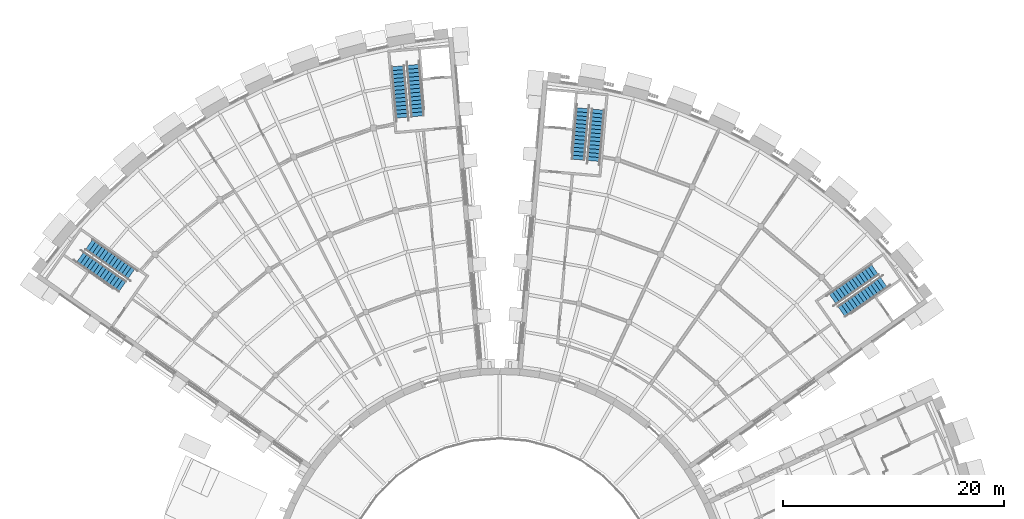
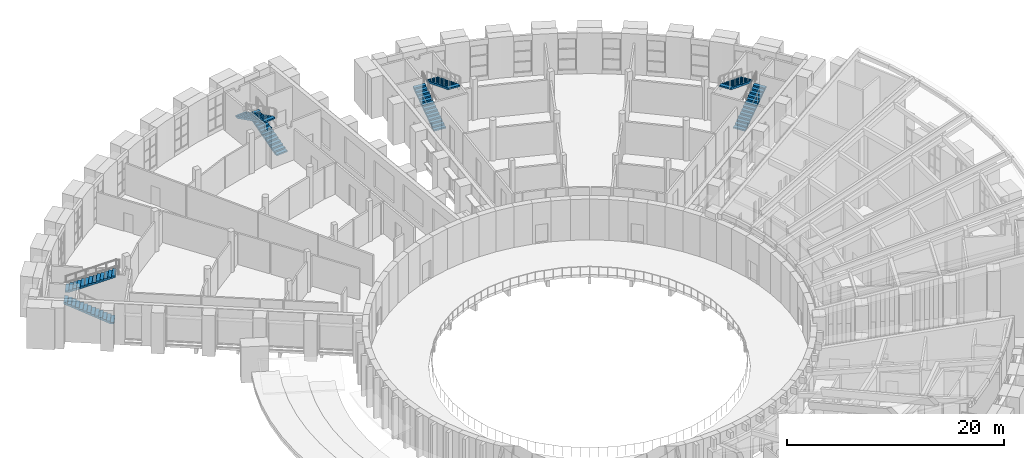
# One storey, part 34 of 50: 8 stair flights, 4 elements without a shape of their own.
"""IFC4 building model written with IfcOpenShell, lengths in metres."""

from ifc_helpers import new_model, si_unit, direction, frame, origin, place, context, subcontext, project, spatial, polyline, outline, extrude, material, type_object, element, aggregate, save


model = new_model("IFC4")

# Units and contexts
model_context = context("Model", 3, precision=1e-05, world=origin(), true_north=direction((0.0, 1.0)))
body_context = subcontext(model_context, "Body", "Model", "MODEL_VIEW")
ifc_project = project(units=[si_unit("LENGTHUNIT", "METRE"), si_unit("AREAUNIT", "SQUARE_METRE"), si_unit("VOLUMEUNIT", "CUBIC_METRE"), si_unit("PLANEANGLEUNIT", "RADIAN"), si_unit("MASSUNIT", "GRAM", prefix="KILO")], contexts=[model_context])

# Site, building, storey
site_placement = place(None, origin())
site = spatial("IfcSite", under=ifc_project, at=site_placement, CompositionType="ELEMENT")
building_placement = place(site_placement, origin())
building = spatial("IfcBuilding", under=site, at=building_placement, Name="Volute Hill Aquarium", CompositionType="ELEMENT")
storey_placement = place(building_placement, frame((0.0, 0.0, 9.199951171875)))
storey = spatial("IfcBuildingStorey", under=building, at=storey_placement, Name="L03", CompositionType="ELEMENT", Elevation=9.199951171875)

# Stair, stair flights
ifc_material_1 = material(Name="Concrete C35/45", Category="concrete")
stair_type = type_object("IfcStairType", Name="Stair C35/45", PredefinedType="HALF_TURN_STAIR", material=ifc_material_1)
stair_1_placement = place(storey_placement, origin())
stair_1 = element("IfcStair", 1, at=stair_1_placement, inside=storey, type_object=stair_type, Name="ST/S5-A/L03", PredefinedType="HALF_TURN_STAIR")
ifc_material_2 = material(Name="Concrete C35/45", Category="concrete")
stair_flight_type = type_object("IfcStairFlightType", Name="Stair flight C35/45", PredefinedType="STRAIGHT", material=ifc_material_2)
stair_flight_1_placement = place(storey_placement, frame((30.98779296875, 26.0927734375, 0.0), z_axis=(0.0, 0.0, 1.0), x_axis=(0.81912384914, 0.573616701091, 0.0)))
stair_flight_1 = element("IfcStairFlight", 2, at=stair_flight_1_placement, type_object=stair_flight_type, Name="ST-S5-A-03 flight 1", NumberOfRisers=14, NumberOfTreads=13, PredefinedType="STRAIGHT", RiserHeight=0.164285714, TreadLength=0.36, context=body_context, shape_type="SweptSolid", body=[
    extrude(outline(polyline([(0.0, 0.0), (0.0, 0.164306640625), (0.360107421875, 0.164306640625), (0.360107421875, 0.32861328125), (0.719970703125, 0.32861328125), (0.719970703125, 0.492919921875), (1.080078125, 0.492919921875), (1.080078125, 0.6572265625), (1.43994140625, 0.6572265625), (1.43994140625, 0.821533203125), (1.800048828125, 0.821533203125), (1.800048828125, 0.985595703125), (2.159912109375, 0.985595703125), (2.159912109375, 1.14990234375), (2.52001953125, 1.14990234375), (2.52001953125, 1.314208984375), (2.8798828125, 1.314208984375), (2.8798828125, 1.478515625), (3.239990234375, 1.478515625), (3.239990234375, 1.642822265625), (3.60009765625, 1.642822265625), (3.60009765625, 1.80712890625), (3.9599609375, 1.80712890625), (3.9599609375, 1.971435546875), (4.320068359375, 1.971435546875), (4.320068359375, 2.1357421875), (4.679931640625, 2.1357421875), (4.679931640625, 2.300048828125), (4.679931640625, 1.970947265625), (0.361083984375, 0.0), (0.0, 0.0)])), frame((0.0, 0.60009765625, 0.0), z_axis=(0.0, -1.0, 0.0), x_axis=(1.0, 0.0, 0.0)), (0.0, 0.0, 1.0), 1.199951171875),
])
stair_flight_2_placement = place(storey_placement, frame((34.0185546875, 29.923828125, 2.300048828125), z_axis=(0.0, 0.0, 1.0), x_axis=(-0.81912384914, -0.573616701091, 0.0)))
stair_flight_2 = element("IfcStairFlight", 3, at=stair_flight_2_placement, type_object=stair_flight_type, Name="ST-S5-A-03 flight 2", NumberOfRisers=14, NumberOfTreads=13, PredefinedType="STRAIGHT", RiserHeight=0.164285714, TreadLength=0.36, context=body_context, shape_type="SweptSolid", body=[
    extrude(outline(polyline([(0.0, 0.0), (0.0, 0.164306640625), (0.360107421875, 0.164306640625), (0.360107421875, 0.32861328125), (0.719970703125, 0.32861328125), (0.719970703125, 0.492919921875), (1.080078125, 0.492919921875), (1.080078125, 0.6572265625), (1.43994140625, 0.6572265625), (1.43994140625, 0.821533203125), (1.800048828125, 0.821533203125), (1.800048828125, 0.985595703125), (2.159912109375, 0.985595703125), (2.159912109375, 1.14990234375), (2.52001953125, 1.14990234375), (2.52001953125, 1.314208984375), (2.8798828125, 1.314208984375), (2.8798828125, 1.478515625), (3.239990234375, 1.478515625), (3.239990234375, 1.642822265625), (3.60009765625, 1.642822265625), (3.60009765625, 1.80712890625), (3.9599609375, 1.80712890625), (3.9599609375, 1.971435546875), (4.320068359375, 1.971435546875), (4.320068359375, 2.1357421875), (4.679931640625, 2.1357421875), (4.679931640625, 2.300048828125), (4.679931640625, 1.970947265625), (0.361083984375, 0.0), (0.0, 0.0)])), frame((0.0, 0.60009765625, 0.0), z_axis=(0.0, -1.0, 0.0), x_axis=(1.0, 0.0, 0.0)), (0.0, 0.0, 1.0), 1.199951171875),
])
aggregate(stair_1, [stair_flight_1, stair_flight_2])

stair_2_placement = place(storey_placement, origin())
stair_2 = element("IfcStair", 4, at=stair_2_placement, inside=storey, type_object=stair_type, Name="ST/S5-B/L03", PredefinedType="HALF_TURN_STAIR")
stair_flight_3_placement = place(storey_placement, frame((7.10302734375, 39.8828125, 0.0), z_axis=(0.0, 0.0, 1.0), x_axis=(0.08710864073, 0.996198817862, 0.0)))
stair_flight_3 = element("IfcStairFlight", 5, at=stair_flight_3_placement, type_object=stair_flight_type, Name="ST-S5-B-03 flight 1", NumberOfRisers=14, NumberOfTreads=13, PredefinedType="STRAIGHT", RiserHeight=0.164285714, TreadLength=0.36, context=body_context, shape_type="SweptSolid", body=[
    extrude(outline(polyline([(0.0, 0.0), (0.0, 0.164306640625), (0.360107421875, 0.164306640625), (0.360107421875, 0.32861328125), (0.719970703125, 0.32861328125), (0.719970703125, 0.492919921875), (1.080078125, 0.492919921875), (1.080078125, 0.6572265625), (1.43994140625, 0.6572265625), (1.43994140625, 0.821533203125), (1.800048828125, 0.821533203125), (1.800048828125, 0.985595703125), (2.159912109375, 0.985595703125), (2.159912109375, 1.14990234375), (2.52001953125, 1.14990234375), (2.52001953125, 1.314208984375), (2.8798828125, 1.314208984375), (2.8798828125, 1.478515625), (3.239990234375, 1.478515625), (3.239990234375, 1.642822265625), (3.60009765625, 1.642822265625), (3.60009765625, 1.80712890625), (3.9599609375, 1.80712890625), (3.9599609375, 1.971435546875), (4.320068359375, 1.971435546875), (4.320068359375, 2.1357421875), (4.679931640625, 2.1357421875), (4.679931640625, 2.300048828125), (4.679931640625, 1.970947265625), (0.361083984375, 0.0), (0.0, 0.0)])), frame((0.0, 0.60009765625, 0.0), z_axis=(0.0, -1.0, 0.0), x_axis=(1.0, 0.0, 0.0)), (0.0, 0.0, 1.0), 1.199951171875),
])
stair_flight_4_placement = place(storey_placement, frame((8.905517578125, 44.4228515625, 2.300048828125), z_axis=(0.0, 0.0, 1.0), x_axis=(-0.08710864073, -0.996198817862, 0.0)))
stair_flight_4 = element("IfcStairFlight", 6, at=stair_flight_4_placement, type_object=stair_flight_type, Name="ST-S5-B-03 flight 2", NumberOfRisers=14, NumberOfTreads=13, PredefinedType="STRAIGHT", RiserHeight=0.164285714, TreadLength=0.36, context=body_context, shape_type="SweptSolid", body=[
    extrude(outline(polyline([(0.0, 0.0), (0.0, 0.164306640625), (0.360107421875, 0.164306640625), (0.360107421875, 0.32861328125), (0.719970703125, 0.32861328125), (0.719970703125, 0.492919921875), (1.080078125, 0.492919921875), (1.080078125, 0.6572265625), (1.43994140625, 0.6572265625), (1.43994140625, 0.821533203125), (1.800048828125, 0.821533203125), (1.800048828125, 0.985595703125), (2.159912109375, 0.985595703125), (2.159912109375, 1.14990234375), (2.52001953125, 1.14990234375), (2.52001953125, 1.314208984375), (2.8798828125, 1.314208984375), (2.8798828125, 1.478515625), (3.239990234375, 1.478515625), (3.239990234375, 1.642822265625), (3.60009765625, 1.642822265625), (3.60009765625, 1.80712890625), (3.9599609375, 1.80712890625), (3.9599609375, 1.971435546875), (4.320068359375, 1.971435546875), (4.320068359375, 2.1357421875), (4.679931640625, 2.1357421875), (4.679931640625, 2.300048828125), (4.679931640625, 1.970947265625), (0.361083984375, 0.0), (0.0, 0.0)])), frame((0.0, 0.60009765625, 0.0), z_axis=(0.0, -1.0, 0.0), x_axis=(1.0, 0.0, 0.0)), (0.0, 0.0, 1.0), 1.199951171875),
])
aggregate(stair_2, [stair_flight_3, stair_flight_4])

stair_3_placement = place(storey_placement, origin())
stair_3 = element("IfcStair", 7, at=stair_3_placement, inside=storey, type_object=stair_type, Name="ST/S6-A/L03", PredefinedType="HALF_TURN_STAIR")
stair_flight_5_placement = place(storey_placement, frame((-7.447265625, 43.817626953125, 0.0), z_axis=(0.0, 0.0, 1.0), x_axis=(-0.087199203008, 0.996190894856, 0.0)))
stair_flight_5 = element("IfcStairFlight", 8, at=stair_flight_5_placement, type_object=stair_flight_type, Name="ST-S6-A-03 flight 1", NumberOfRisers=14, NumberOfTreads=13, PredefinedType="STRAIGHT", RiserHeight=0.164285714, TreadLength=0.36, context=body_context, shape_type="SweptSolid", body=[
    extrude(outline(polyline([(0.0, 0.0), (0.0, 0.164306640625), (0.360107421875, 0.164306640625), (0.360107421875, 0.32861328125), (0.719970703125, 0.32861328125), (0.719970703125, 0.492919921875), (1.080078125, 0.492919921875), (1.080078125, 0.6572265625), (1.43994140625, 0.6572265625), (1.43994140625, 0.821533203125), (1.800048828125, 0.821533203125), (1.800048828125, 0.985595703125), (2.159912109375, 0.985595703125), (2.159912109375, 1.14990234375), (2.52001953125, 1.14990234375), (2.52001953125, 1.314208984375), (2.8798828125, 1.314208984375), (2.8798828125, 1.478515625), (3.239990234375, 1.478515625), (3.239990234375, 1.642822265625), (3.60009765625, 1.642822265625), (3.60009765625, 1.80712890625), (3.9599609375, 1.80712890625), (3.9599609375, 1.971435546875), (4.320068359375, 1.971435546875), (4.320068359375, 2.1357421875), (4.679931640625, 2.1357421875), (4.679931640625, 2.300048828125), (4.679931640625, 1.970947265625), (0.361083984375, 0.0), (0.0, 0.0)])), frame((0.0, 0.60009765625, 0.0), z_axis=(0.0, -1.0, 0.0), x_axis=(1.0, 0.0, 0.0)), (0.0, 0.0, 1.0), 1.199951171875),
])
stair_flight_6_placement = place(storey_placement, frame((-9.25, 48.35791015625, 2.300048828125), z_axis=(0.0, 0.0, 1.0), x_axis=(0.087199203008, -0.996190894856, 0.0)))
stair_flight_6 = element("IfcStairFlight", 9, at=stair_flight_6_placement, type_object=stair_flight_type, Name="ST-S6-A-03 flight 2", NumberOfRisers=14, NumberOfTreads=13, PredefinedType="STRAIGHT", RiserHeight=0.164285714, TreadLength=0.36, context=body_context, shape_type="SweptSolid", body=[
    extrude(outline(polyline([(0.0, 0.0), (0.0, 0.164306640625), (0.360107421875, 0.164306640625), (0.360107421875, 0.32861328125), (0.719970703125, 0.32861328125), (0.719970703125, 0.492919921875), (1.080078125, 0.492919921875), (1.080078125, 0.6572265625), (1.43994140625, 0.6572265625), (1.43994140625, 0.821533203125), (1.800048828125, 0.821533203125), (1.800048828125, 0.985595703125), (2.159912109375, 0.985595703125), (2.159912109375, 1.14990234375), (2.52001953125, 1.14990234375), (2.52001953125, 1.314208984375), (2.8798828125, 1.314208984375), (2.8798828125, 1.478515625), (3.239990234375, 1.478515625), (3.239990234375, 1.642822265625), (3.60009765625, 1.642822265625), (3.60009765625, 1.80712890625), (3.9599609375, 1.80712890625), (3.9599609375, 1.971435546875), (4.320068359375, 1.971435546875), (4.320068359375, 2.1357421875), (4.679931640625, 2.1357421875), (4.679931640625, 2.300048828125), (4.679931640625, 1.970947265625), (0.361083984375, 0.0), (0.0, 0.0)])), frame((0.0, 0.60009765625, 0.0), z_axis=(0.0, -1.0, 0.0), x_axis=(1.0, 0.0, 0.0)), (0.0, 0.0, 1.0), 1.199951171875),
])
aggregate(stair_3, [stair_flight_5, stair_flight_6])

stair_4_placement = place(storey_placement, origin())
stair_4 = element("IfcStair", 10, at=stair_4_placement, inside=storey, type_object=stair_type, Name="ST/S6-B/L03", PredefinedType="HALF_TURN_STAIR")
stair_flight_7_placement = place(storey_placement, frame((-34.2236328125, 28.3583984375, 0.0), z_axis=(0.0, 0.0, 1.0), x_axis=(-0.819203731484, 0.573502612306, 0.0)))
stair_flight_7 = element("IfcStairFlight", 11, at=stair_flight_7_placement, type_object=stair_flight_type, Name="ST-S6-B-03 flight 1", NumberOfRisers=14, NumberOfTreads=13, PredefinedType="STRAIGHT", RiserHeight=0.164285714, TreadLength=0.36, context=body_context, shape_type="SweptSolid", body=[
    extrude(outline(polyline([(0.0, 0.0), (0.0, 0.164306640625), (0.360107421875, 0.164306640625), (0.360107421875, 0.32861328125), (0.719970703125, 0.32861328125), (0.719970703125, 0.492919921875), (1.080078125, 0.492919921875), (1.080078125, 0.6572265625), (1.43994140625, 0.6572265625), (1.43994140625, 0.821533203125), (1.800048828125, 0.821533203125), (1.800048828125, 0.985595703125), (2.159912109375, 0.985595703125), (2.159912109375, 1.14990234375), (2.52001953125, 1.14990234375), (2.52001953125, 1.314208984375), (2.8798828125, 1.314208984375), (2.8798828125, 1.478515625), (3.239990234375, 1.478515625), (3.239990234375, 1.642822265625), (3.60009765625, 1.642822265625), (3.60009765625, 1.80712890625), (3.9599609375, 1.80712890625), (3.9599609375, 1.971435546875), (4.320068359375, 1.971435546875), (4.320068359375, 2.1357421875), (4.679931640625, 2.1357421875), (4.679931640625, 2.300048828125), (4.679931640625, 1.970947265625), (0.361083984375, 0.0), (0.0, 0.0)])), frame((0.0, 0.60009765625, 0.0), z_axis=(0.0, -1.0, 0.0), x_axis=(1.0, 0.0, 0.0)), (0.0, 0.0, 1.0), 1.199951171875),
])
stair_flight_8_placement = place(storey_placement, frame((-37.254150390625, 32.189453125, 2.300048828125), z_axis=(0.0, 0.0, 1.0), x_axis=(0.819203731484, -0.573502612306, 0.0)))
stair_flight_8 = element("IfcStairFlight", 12, at=stair_flight_8_placement, type_object=stair_flight_type, Name="ST-S6-B-03 flight 2", NumberOfRisers=14, NumberOfTreads=13, PredefinedType="STRAIGHT", RiserHeight=0.164285714, TreadLength=0.36, context=body_context, shape_type="SweptSolid", body=[
    extrude(outline(polyline([(0.0, 0.0), (0.0, 0.164306640625), (0.360107421875, 0.164306640625), (0.360107421875, 0.32861328125), (0.719970703125, 0.32861328125), (0.719970703125, 0.492919921875), (1.080078125, 0.492919921875), (1.080078125, 0.6572265625), (1.43994140625, 0.6572265625), (1.43994140625, 0.821533203125), (1.800048828125, 0.821533203125), (1.800048828125, 0.985595703125), (2.159912109375, 0.985595703125), (2.159912109375, 1.14990234375), (2.52001953125, 1.14990234375), (2.52001953125, 1.314208984375), (2.8798828125, 1.314208984375), (2.8798828125, 1.478515625), (3.239990234375, 1.478515625), (3.239990234375, 1.642822265625), (3.60009765625, 1.642822265625), (3.60009765625, 1.80712890625), (3.9599609375, 1.80712890625), (3.9599609375, 1.971435546875), (4.320068359375, 1.971435546875), (4.320068359375, 2.1357421875), (4.679931640625, 2.1357421875), (4.679931640625, 2.300048828125), (4.679931640625, 1.970947265625), (0.361083984375, 0.0), (0.0, 0.0)])), frame((0.0, 0.60009765625, 0.0), z_axis=(0.0, -1.0, 0.0), x_axis=(1.0, 0.0, 0.0)), (0.0, 0.0, 1.0), 1.199951171875),
])
aggregate(stair_4, [stair_flight_7, stair_flight_8])

save(model, "model.ifc")
